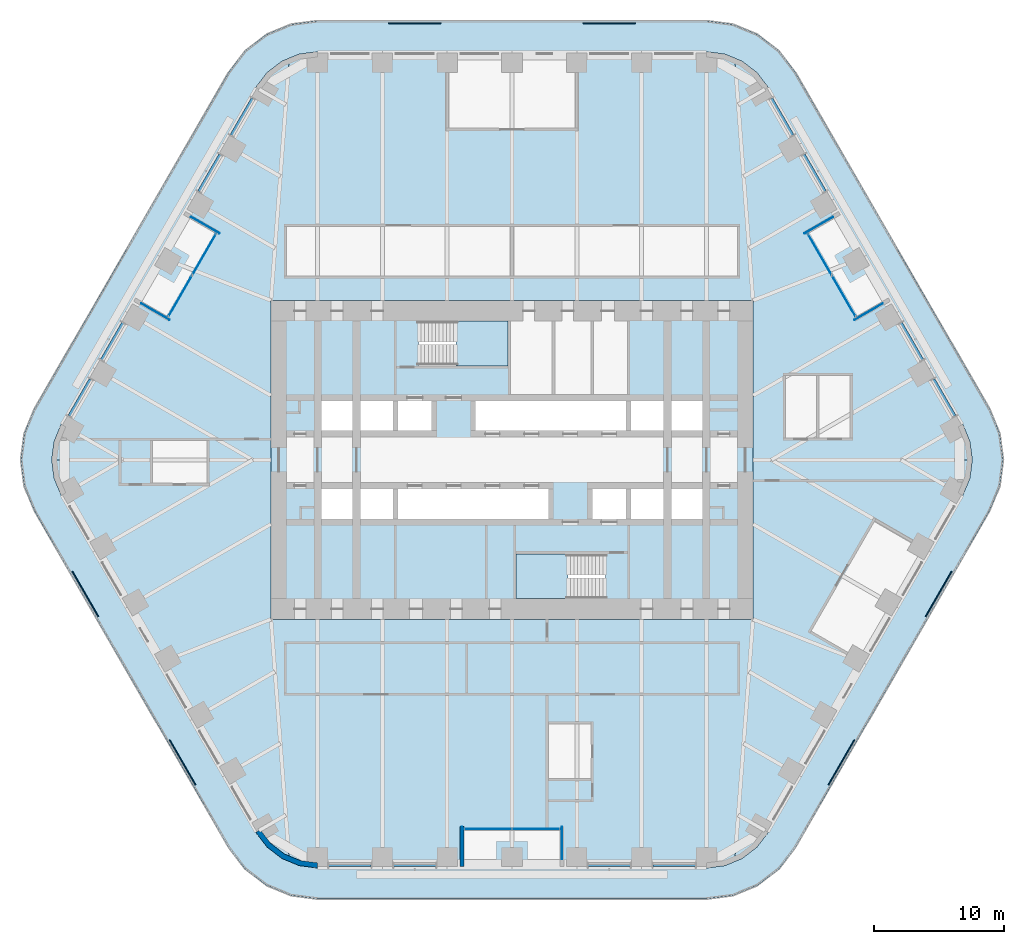
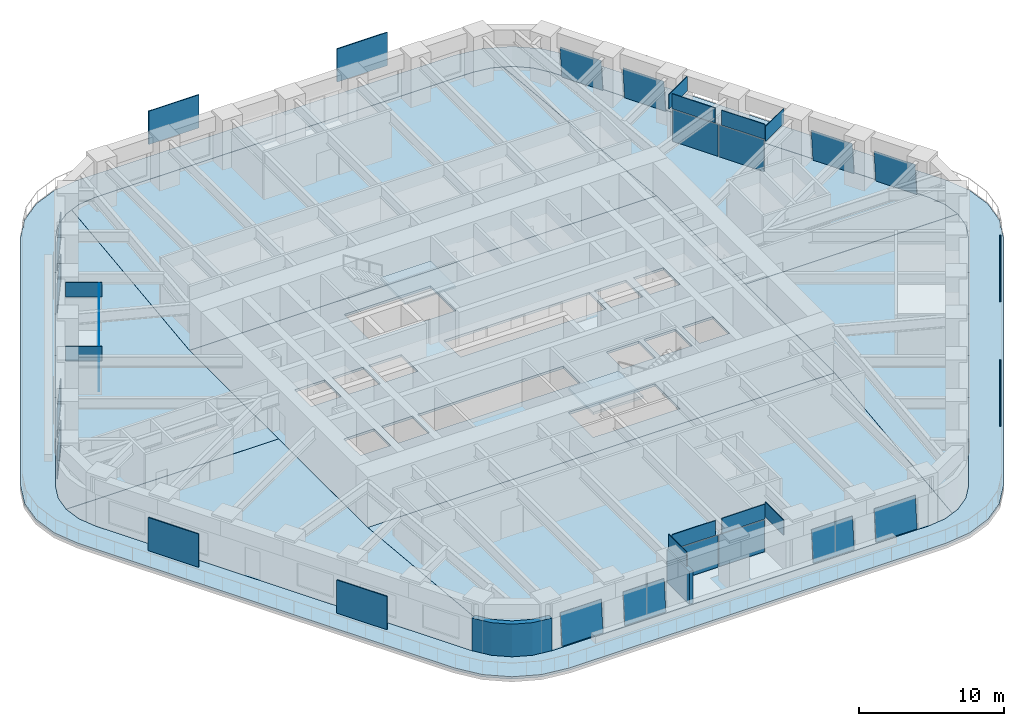
# One storey, part 16 of 24: 36 plates, 10 slabs, 2 walls, 17 elements without a shape of their own.
"""IFC4 building model written with IfcOpenShell, lengths in metres."""

from ifc_helpers import new_model, si_unit, direction, frame, frame_2d, origin, origin_2d, place, context, subcontext, project, spatial, polyline, rectangle, outline, extrude, material, layer, layer_set, type_object, element, aggregate, save


model = new_model("IFC4")

# Units and contexts
model_context = context("Model", 3, precision=1e-05, world=origin(), true_north=direction((0.0, 1.0)))
body_context = subcontext(model_context, "Body", "Model", "MODEL_VIEW")
ifc_project = project(units=[si_unit("LENGTHUNIT", "METRE"), si_unit("AREAUNIT", "SQUARE_METRE"), si_unit("VOLUMEUNIT", "CUBIC_METRE"), si_unit("PLANEANGLEUNIT", "RADIAN"), si_unit("MASSUNIT", "GRAM", prefix="KILO")], contexts=[model_context])

# Site, building, storey
site_placement = place(None, origin())
site = spatial("IfcSite", under=ifc_project, at=site_placement, CompositionType="ELEMENT")
building_placement = place(site_placement, origin())
building = spatial("IfcBuilding", under=site, at=building_placement, Name="Tarfa Lantern Tower", CompositionType="ELEMENT")
storey_placement = place(building_placement, frame((0.0, 0.0, 153.10009765625)))
storey = spatial("IfcBuildingStorey", under=building, at=storey_placement, Name="L34", CompositionType="ELEMENT", Elevation=153.10009765625)

# Slab
ifc_material_1 = material(Name="Concrete C40/50", Category="concrete")
ifc_layer_1 = layer(ifc_material_1, 0.199951171875)
ifc_layer_set_1 = layer_set([ifc_layer_1], Name="BS2 BALCONY SLAB 200")
slab_type_1 = type_object("IfcSlabType", Name="BS2 BALCONY SLAB 200", PredefinedType="FLOOR", material=ifc_layer_set_1)
slab_1_placement = place(storey_placement, frame((0.0, 0.0, -0.2001953125)))
element("IfcSlab", 1, at=slab_1_placement, inside=storey, type_object=slab_type_1, Name="Balcony L34", PredefinedType="FLOOR", context=body_context, shape_type="SweptSolid", body=[
    extrude(outline(polyline([(36.86376953125, 3.949951171875), (21.852783203125, 29.949951171875), (20.59716796875, 31.586181640625), (18.961181640625, 32.841552734375), (17.0556640625, 33.630859375), (15.010986328125, 33.89990234375), (-15.010986328125, 33.89990234375), (-17.0556640625, 33.630859375), (-18.961181640625, 32.841552734375), (-20.59716796875, 31.586181640625), (-21.852783203125, 29.949951171875), (-36.86376953125, 3.949951171875), (-37.653076171875, 2.044677734375), (-37.922119140625, 0.0), (-37.653076171875, -2.044677734375), (-36.86376953125, -3.949951171875), (-21.852783203125, -29.949951171875), (-20.59716796875, -31.586181640625), (-18.961181640625, -32.841552734375), (-17.0556640625, -33.630859375), (-15.010986328125, -33.89990234375), (15.010986328125, -33.89990234375), (17.0556640625, -33.630859375), (18.961181640625, -32.841552734375), (20.59716796875, -31.586181640625), (21.852783203125, -29.949951171875), (36.86376953125, -3.949951171875), (37.653076171875, -2.044677734375), (37.922119140625, 0.0), (37.653076171875, 2.044677734375), (36.86376953125, 3.949951171875)]), holes=[polyline([(34.785400390625, 2.75), (19.774169921875, 28.75), (18.900146484375, 29.88916015625), (17.760986328125, 30.76318359375), (16.4345703125, 31.3125), (15.010986328125, 31.5), (-15.010986328125, 31.5), (-16.4345703125, 31.3125), (-17.760986328125, 30.76318359375), (-18.900146484375, 29.88916015625), (-19.774169921875, 28.75), (-34.785400390625, 2.75), (-35.334716796875, 1.423583984375), (-35.522216796875, 0.0), (-35.334716796875, -1.423583984375), (-34.785400390625, -2.75), (-19.774169921875, -28.75), (-18.900146484375, -29.88916015625), (-17.760986328125, -30.76318359375), (-16.4345703125, -31.3125), (-15.010986328125, -31.5), (15.010986328125, -31.5), (16.4345703125, -31.3125), (17.760986328125, -30.76318359375), (18.900146484375, -29.88916015625), (19.774169921875, -28.75), (34.785400390625, -2.75), (35.334716796875, -1.423583984375), (35.522216796875, 0.0), (35.334716796875, 1.423583984375), (34.785400390625, 2.75)])]), origin(), (0.0, 0.0, 1.0), 0.2001953125),
])

# Curtain wall, plate
ifc_material_2 = material(Name="Aluminium framed curtain wall", Category="aluminium")
curtain_wall_type_1 = type_object("IfcCurtainWallType", Name="CW2 CANTED GLAZING MID ZONE 2750", PredefinedType="USERDEFINED", material=ifc_material_2)
curtain_wall_1_placement = place(storey_placement, origin())
curtain_wall_1 = element("IfcCurtainWall", 2, at=curtain_wall_1_placement, inside=storey, type_object=curtain_wall_type_1, Name="CW2 NE L34", ObjectType="CURTAIN WALL", PredefinedType="USERDEFINED")
ifc_material_3 = material(Name="Laminated double glazing", Category="glass")
ifc_layer_2 = layer(ifc_material_3, 0.028076171875)
ifc_layer_set_2 = layer_set([ifc_layer_2], Name="CWP1 DOUBLE GLAZED PANEL")
plate_type_1 = type_object("IfcPlateType", Name="CWP1 DOUBLE GLAZED PANEL", PredefinedType="CURTAIN_PANEL", material=ifc_layer_set_2)
plate_1_placement = place(storey_placement, frame((34.266357421875, 3.44921875, 0.0), z_axis=(0.862441034513, 0.497990624906, 0.09055826574), x_axis=(-0.500045231271, 0.865999287923, 0.0)))
plate_1 = element("IfcPlate", 3, at=plate_1_placement, type_object=plate_type_1, Name="CW2 panel 1.1", PredefinedType="CURTAIN_PANEL", context=body_context, shape_type="SweptSolid", body=[
    extrude(outline(polyline([(0.0, 0.0), (3.2736296403891254, -2.7755575615628914e-17), (3.273639290369484, 2.6958914425078007), (9.649980358572563e-06, 2.6958914425078007), (0.0, 0.0)])), origin(), (0.0, 0.0, -1.0), 0.028076171875),
])
aggregate(curtain_wall_1, [plate_1])

curtain_wall_2_placement = place(storey_placement, origin())
curtain_wall_2 = element("IfcCurtainWall", 4, at=curtain_wall_2_placement, inside=storey, type_object=curtain_wall_type_1, Name="CW2 NE L34", ObjectType="CURTAIN WALL", PredefinedType="USERDEFINED")
plate_2_placement = place(storey_placement, frame((31.764404296875, 7.782470703125, 0.0), z_axis=(0.862478745448, 0.497932381715, 0.090519373015), x_axis=(-0.499985201769, 0.866033947374, 2.911001e-06)))
plate_2 = element("IfcPlate", 5, at=plate_2_placement, type_object=plate_type_1, Name="CW2 panel 1.1", PredefinedType="CURTAIN_PANEL", context=body_context, shape_type="SweptSolid", body=[
    extrude(outline(polyline([(0.0, 0.0), (3.2738410665798394, 0.0), (3.2737195426844323, 2.695872301943701), (5.428042432404256e-07, 2.6958914404692003), (0.0, 0.0)])), origin(), (0.0, 0.0, -1.0), 0.028076171875),
])
aggregate(curtain_wall_2, [plate_2])

curtain_wall_3_placement = place(storey_placement, origin())
curtain_wall_3 = element("IfcCurtainWall", 6, at=curtain_wall_3_placement, inside=storey, type_object=curtain_wall_type_1, Name="CW2 NEB L34", ObjectType="CURTAIN WALL", PredefinedType="USERDEFINED")
plate_3_placement = place(storey_placement, frame((24.2587890625, 20.782470703125, 0.0), z_axis=(0.86249176236, 0.497902761979, 0.090558265635), x_axis=(-0.499957005835, 0.866050225054, 0.0)))
plate_3 = element("IfcPlate", 7, at=plate_3_placement, type_object=plate_type_1, Name="CW2 panel 1.1", PredefinedType="CURTAIN_PANEL", context=body_context, shape_type="SweptSolid", body=[
    extrude(outline(polyline([(0.0, 0.0), (3.273719001629088, 0.0), (3.2737037805661293, 2.6958914424821026), (-1.5221062958495346e-05, 2.6958914424821026), (0.0, 0.0)])), origin(), (0.0, 0.0, -1.0), 0.028076171875),
])
aggregate(curtain_wall_3, [plate_3])

curtain_wall_4_placement = place(storey_placement, origin())
curtain_wall_4 = element("IfcCurtainWall", 8, at=curtain_wall_4_placement, inside=storey, type_object=curtain_wall_type_1, Name="CW2 NEB L34", ObjectType="CURTAIN WALL", PredefinedType="USERDEFINED")
plate_4_placement = place(storey_placement, frame((21.757080078125, 25.11572265625, 0.0), z_axis=(0.862459603951, 0.497958464177, 0.09055826581), x_axis=(-0.500012937857, 0.86601793398, 0.0)))
plate_4 = element("IfcPlate", 9, at=plate_4_placement, type_object=plate_type_1, Name="CW2 panel 1.1", PredefinedType="CURTAIN_PANEL", context=body_context, shape_type="SweptSolid", body=[
    extrude(outline(polyline([(0.0, 0.0), (3.2738410682727324, 0.0), (3.27384161446276, 2.695891442525017), (5.461900275532949e-07, 2.695891442525017), (0.0, 0.0)])), origin(), (0.0, 0.0, -1.0), 0.028076171875),
])
aggregate(curtain_wall_4, [plate_4])

# Curtain wall, plates
curtain_wall_type_2 = type_object("IfcCurtainWallType", Name="CW10 LOGGIA GLAZING 2750", PredefinedType="USERDEFINED", material=ifc_material_2)
curtain_wall_5_placement = place(storey_placement, origin())
curtain_wall_5 = element("IfcCurtainWall", 10, at=curtain_wall_5_placement, inside=storey, type_object=curtain_wall_type_2, Name="CW10 NEL L34", ObjectType="CURTAIN WALL", PredefinedType="USERDEFINED")
plate_5_placement = place(storey_placement, frame((25.599609375, 12.660400390625, -0.000244140625), z_axis=(0.0, 0.0, 1.0), x_axis=(-0.5, 0.866025403784, 0.0)))
plate_5 = element("IfcPlate", 11, at=plate_5_placement, type_object=plate_type_1, Name="CW10 panel 1.1", PredefinedType="CURTAIN_PANEL", context=body_context, shape_type="SweptSolid", body=[
    extrude(rectangle(XDim=3.606201171875, YDim=0.028076171875, at=origin_2d()), origin(), (0.0, 0.0, 1.0), 2.68505859375),
])
plate_6_placement = place(storey_placement, frame((23.763916015625, 15.839599609375, -0.000244140625), z_axis=(0.0, 0.0, 1.0), x_axis=(-0.5, 0.866025403784, 0.0)))
plate_6 = element("IfcPlate", 12, at=plate_6_placement, type_object=plate_type_1, Name="CW10 panel 2.1", PredefinedType="CURTAIN_PANEL", context=body_context, shape_type="SweptSolid", body=[
    extrude(rectangle(XDim=3.606201171875, YDim=0.028076171875, at=origin_2d()), origin(), (0.0, 0.0, 1.0), 2.68505859375),
])
aggregate(curtain_wall_5, [plate_5, plate_6])

# Curtain wall, plate
curtain_wall_6_placement = place(storey_placement, origin())
curtain_wall_6 = element("IfcCurtainWall", 13, at=curtain_wall_6_placement, inside=storey, type_object=curtain_wall_type_1, Name="CW2 NW L34", ObjectType="CURTAIN WALL", PredefinedType="USERDEFINED")
plate_7_placement = place(storey_placement, frame((-20.1201171875, 27.950927734375, 0.0), z_axis=(-0.862459603951, 0.497958464177, 0.09055826581), x_axis=(-0.500012937857, -0.86601793398, 0.0)))
plate_7 = element("IfcPlate", 14, at=plate_7_placement, type_object=plate_type_1, Name="CW2 panel 1.1", PredefinedType="CURTAIN_PANEL", context=body_context, shape_type="SweptSolid", body=[
    extrude(outline(polyline([(0.0, 0.0), (3.2738410682727324, 0.0), (3.273840522082705, 2.695891442525017), (-5.461900275532949e-07, 2.695891442525017), (0.0, 0.0)])), origin(), (0.0, 0.0, -1.0), 0.028076171875),
])
aggregate(curtain_wall_6, [plate_7])

curtain_wall_7_placement = place(storey_placement, origin())
curtain_wall_7 = element("IfcCurtainWall", 15, at=curtain_wall_7_placement, inside=storey, type_object=curtain_wall_type_1, Name="CW2 NW L34", ObjectType="CURTAIN WALL", PredefinedType="USERDEFINED")
plate_8_placement = place(storey_placement, frame((-22.6220703125, 23.61767578125, 0.0), z_axis=(-0.86249176236, 0.497902761979, 0.090558265635), x_axis=(-0.499957005835, -0.866050225054, 0.0)))
plate_8 = element("IfcPlate", 16, at=plate_8_placement, type_object=plate_type_1, Name="CW2 panel 1.1", PredefinedType="CURTAIN_PANEL", context=body_context, shape_type="SweptSolid", body=[
    extrude(outline(polyline([(0.0, 0.0), (3.273719001629088, 0.0), (3.2737342226920463, 2.6958914424821026), (1.5221062958495346e-05, 2.6958914424821026), (0.0, 0.0)])), origin(), (0.0, 0.0, -1.0), 0.028076171875),
])
aggregate(curtain_wall_7, [plate_8])

curtain_wall_8_placement = place(storey_placement, origin())
curtain_wall_8 = element("IfcCurtainWall", 17, at=curtain_wall_8_placement, inside=storey, type_object=curtain_wall_type_1, Name="CW2 NWB L34", ObjectType="CURTAIN WALL", PredefinedType="USERDEFINED")
plate_9_placement = place(storey_placement, frame((-30.12744140625, 10.61767578125, 0.0), z_axis=(-0.862478745448, 0.497932381715, 0.090519373015), x_axis=(-0.499985201769, -0.866033947374, -2.911001e-06)))
plate_9 = element("IfcPlate", 18, at=plate_9_placement, type_object=plate_type_1, Name="CW2 panel 1.1", PredefinedType="CURTAIN_PANEL", context=body_context, shape_type="SweptSolid", body=[
    extrude(outline(polyline([(0.0, 0.0), (3.2738410665798394, 0.0), (3.273840523775597, 2.6958914404692003), (0.00012152389540728165, 2.695872301943701), (0.0, 0.0)])), origin(), (0.0, 0.0, -1.0), 0.028076171875),
])
aggregate(curtain_wall_8, [plate_9])

curtain_wall_9_placement = place(storey_placement, origin())
curtain_wall_9 = element("IfcCurtainWall", 19, at=curtain_wall_9_placement, inside=storey, type_object=curtain_wall_type_1, Name="CW2 NWB L34", ObjectType="CURTAIN WALL", PredefinedType="USERDEFINED")
plate_10_placement = place(storey_placement, frame((-32.62939453125, 6.2841796875, 0.0), z_axis=(-0.862441034513, 0.497990624906, 0.09055826574), x_axis=(-0.500045231271, -0.865999287923, 0.0)))
plate_10 = element("IfcPlate", 20, at=plate_10_placement, type_object=plate_type_1, Name="CW2 panel 1.1", PredefinedType="CURTAIN_PANEL", context=body_context, shape_type="SweptSolid", body=[
    extrude(outline(polyline([(0.0, 0.0), (3.2736296403891254, 2.7755575615628914e-17), (3.273619990408767, 2.6958914425078007), (-9.649980358572563e-06, 2.6958914425078007), (0.0, 0.0)])), origin(), (0.0, 0.0, -1.0), 0.028076171875),
])
aggregate(curtain_wall_9, [plate_10])

# Curtain wall, plates
curtain_wall_10_placement = place(storey_placement, origin())
curtain_wall_10 = element("IfcCurtainWall", 21, at=curtain_wall_10_placement, inside=storey, type_object=curtain_wall_type_2, Name="CW10 NWL L34", ObjectType="CURTAIN WALL", PredefinedType="USERDEFINED")
plate_11_placement = place(storey_placement, frame((-23.763916015625, 15.839599609375, -0.000244140625), z_axis=(0.0, 0.0, 1.0), x_axis=(-0.5, -0.866025403784, 0.0)))
plate_11 = element("IfcPlate", 22, at=plate_11_placement, type_object=plate_type_1, Name="CW10 panel 1.1", PredefinedType="CURTAIN_PANEL", context=body_context, shape_type="SweptSolid", body=[
    extrude(rectangle(XDim=3.606201171875, YDim=0.028076171875, at=origin_2d()), origin(), (0.0, 0.0, 1.0), 2.68505859375),
])
plate_12_placement = place(storey_placement, frame((-25.599609375, 12.660400390625, -0.000244140625), z_axis=(0.0, 0.0, 1.0), x_axis=(-0.5, -0.866025403784, 0.0)))
plate_12 = element("IfcPlate", 23, at=plate_12_placement, type_object=plate_type_1, Name="CW10 panel 2.1", PredefinedType="CURTAIN_PANEL", context=body_context, shape_type="SweptSolid", body=[
    extrude(rectangle(XDim=3.606201171875, YDim=0.028076171875, at=origin_2d()), origin(), (0.0, 0.0, 1.0), 2.68505859375),
])
aggregate(curtain_wall_10, [plate_11, plate_12])

# Curtain wall, plate
curtain_wall_11_placement = place(storey_placement, origin())
curtain_wall_11 = element("IfcCurtainWall", 24, at=curtain_wall_11_placement, inside=storey, type_object=curtain_wall_type_1, Name="CW2 S L34", ObjectType="CURTAIN WALL", PredefinedType="USERDEFINED")
plate_13_placement = place(storey_placement, frame((-14.14599609375, -31.39990234375, 0.0), z_axis=(0.0, -0.995899142751, 0.090470423171), x_axis=(1.0, 0.0, 0.0)))
plate_13 = element("IfcPlate", 25, at=plate_13_placement, type_object=plate_type_1, Name="CW2 panel 1.1", PredefinedType="CURTAIN_PANEL", context=body_context, shape_type="SweptSolid", body=[
    extrude(outline(polyline([(0.0, 0.0), (3.273681640625, 0.0), (3.273681640625, 2.695869830462773), (0.0, 2.695869830462773), (0.0, 0.0)])), origin(), (0.0, 0.0, -1.0), 0.028076171875),
])
aggregate(curtain_wall_11, [plate_13])

curtain_wall_12_placement = place(storey_placement, origin())
curtain_wall_12 = element("IfcCurtainWall", 26, at=curtain_wall_12_placement, inside=storey, type_object=curtain_wall_type_1, Name="CW2 S L34", ObjectType="CURTAIN WALL", PredefinedType="USERDEFINED")
plate_14_placement = place(storey_placement, frame((-9.142333984375, -31.39990234375, 0.0), z_axis=(0.0, -0.995899142751, 0.090470423171), x_axis=(1.0, 0.0, 0.0)))
plate_14 = element("IfcPlate", 27, at=plate_14_placement, type_object=plate_type_1, Name="CW2 panel 1.1", PredefinedType="CURTAIN_PANEL", context=body_context, shape_type="SweptSolid", body=[
    extrude(outline(polyline([(0.0, 0.0), (3.273681640625, 0.0), (3.273681640625, 2.695869830462773), (0.0, 2.695869830462773), (0.0, 0.0)])), origin(), (0.0, 0.0, -1.0), 0.028076171875),
])
aggregate(curtain_wall_12, [plate_14])

curtain_wall_13_placement = place(storey_placement, origin())
curtain_wall_13 = element("IfcCurtainWall", 28, at=curtain_wall_13_placement, inside=storey, type_object=curtain_wall_type_1, Name="CW2 SB L34", ObjectType="CURTAIN WALL", PredefinedType="USERDEFINED")
plate_15_placement = place(storey_placement, frame((5.86865234375, -31.39990234375, 0.0), z_axis=(0.0, -0.995899142751, 0.090470423171), x_axis=(1.0, 0.0, 0.0)))
plate_15 = element("IfcPlate", 29, at=plate_15_placement, type_object=plate_type_1, Name="CW2 panel 1.1", PredefinedType="CURTAIN_PANEL", context=body_context, shape_type="SweptSolid", body=[
    extrude(outline(polyline([(0.0, 0.0), (3.273681640625, 0.0), (3.273681640625, 2.695869830462773), (0.0, 2.695869830462773), (0.0, 0.0)])), origin(), (0.0, 0.0, -1.0), 0.028076171875),
])
aggregate(curtain_wall_13, [plate_15])

curtain_wall_14_placement = place(storey_placement, origin())
curtain_wall_14 = element("IfcCurtainWall", 30, at=curtain_wall_14_placement, inside=storey, type_object=curtain_wall_type_1, Name="CW2 SB L34", ObjectType="CURTAIN WALL", PredefinedType="USERDEFINED")
plate_16_placement = place(storey_placement, frame((10.872314453125, -31.39990234375, 0.0), z_axis=(0.0, -0.995899142751, 0.090470423171), x_axis=(1.0, 0.0, 0.0)))
plate_16 = element("IfcPlate", 31, at=plate_16_placement, type_object=plate_type_1, Name="CW2 panel 1.1", PredefinedType="CURTAIN_PANEL", context=body_context, shape_type="SweptSolid", body=[
    extrude(outline(polyline([(0.0, 0.0), (3.273681640625, 0.0), (3.273681640625, 2.695869830462773), (0.0, 2.695869830462773), (0.0, 0.0)])), origin(), (0.0, 0.0, -1.0), 0.028076171875),
])
aggregate(curtain_wall_14, [plate_16])

# Curtain wall, plates
curtain_wall_15_placement = place(storey_placement, origin())
curtain_wall_15 = element("IfcCurtainWall", 32, at=curtain_wall_15_placement, inside=storey, type_object=curtain_wall_type_2, Name="CW10 SL L34", ObjectType="CURTAIN WALL", PredefinedType="USERDEFINED")
plate_17_placement = place(storey_placement, frame((-1.835693359375, -28.5, -0.000244140625), z_axis=(0.0, 0.0, 1.0), x_axis=(1.0, 0.0, 0.0)))
plate_17 = element("IfcPlate", 33, at=plate_17_placement, type_object=plate_type_1, Name="CW10 panel 1.1", PredefinedType="CURTAIN_PANEL", context=body_context, shape_type="SweptSolid", body=[
    extrude(rectangle(XDim=3.606201171875, YDim=0.028076171875, at=origin_2d()), origin(), (0.0, 0.0, 1.0), 2.68505859375),
])
plate_18_placement = place(storey_placement, frame((1.835693359375, -28.5, -0.000244140625), z_axis=(0.0, 0.0, 1.0), x_axis=(1.0, 0.0, 0.0)))
plate_18 = element("IfcPlate", 34, at=plate_18_placement, type_object=plate_type_1, Name="CW10 panel 2.1", PredefinedType="CURTAIN_PANEL", context=body_context, shape_type="SweptSolid", body=[
    extrude(rectangle(XDim=3.606201171875, YDim=0.028076171875, at=origin_2d()), origin(), (0.0, 0.0, 1.0), 2.68505859375),
])
aggregate(curtain_wall_15, [plate_17, plate_18])

# Slabs
ifc_layer_3 = layer(ifc_material_1, 0.199951171875)
ifc_layer_set_3 = layer_set([ifc_layer_3], Name="FS1 FLOOR SLAB 200")
slab_type_2 = type_object("IfcSlabType", Name="FS1 FLOOR SLAB 200", PredefinedType="FLOOR", material=ifc_layer_set_3)
slab_2_placement = place(storey_placement, frame((0.0, 0.0, -0.2001953125)))
element("IfcSlab", 35, at=slab_2_placement, inside=storey, type_object=slab_type_2, Name="Floor slab L34", PredefinedType="FLOOR", context=body_context, shape_type="SweptSolid", body=[
    extrude(outline(polyline([(-18.60009765625, -12.300048828125), (18.60009765625, -12.300048828125), (18.60009765625, 12.300048828125), (-18.60009765625, 12.300048828125), (-18.60009765625, -12.300048828125)]), holes=[polyline([(-14.699951171875, 2.25), (-12.300048828125, 2.25), (-12.300048828125, 4.550048828125), (-14.699951171875, 4.550048828125), (-14.699951171875, 2.25)]), polyline([(-11.699951171875, 2.25), (-9.199951171875, 2.25), (-9.199951171875, 4.550048828125), (-11.699951171875, 4.550048828125), (-11.699951171875, 2.25)]), polyline([(-8.800048828125, 2.25), (-6.199951171875, 2.25), (-6.199951171875, 4.550048828125), (-8.800048828125, 4.550048828125), (-8.800048828125, 2.25)]), polyline([(-2.800048828125, 2.25), (8.800048828125, 2.25), (8.800048828125, 4.550048828125), (-2.800048828125, 4.550048828125), (-2.800048828125, 2.25)]), polyline([(9.199951171875, 2.25), (11.699951171875, 2.25), (11.699951171875, 4.550048828125), (9.199951171875, 4.550048828125), (9.199951171875, 2.25)]), polyline([(12.300048828125, 2.25), (14.699951171875, 2.25), (14.699951171875, 4.550048828125), (12.300048828125, 4.550048828125), (12.300048828125, 2.25)]), polyline([(14.699951171875, -2.25), (12.300048828125, -2.25), (12.300048828125, -4.550048828125), (14.699951171875, -4.550048828125), (14.699951171875, -2.25)]), polyline([(11.699951171875, -2.25), (9.199951171875, -2.25), (9.199951171875, -4.550048828125), (11.699951171875, -4.550048828125), (11.699951171875, -2.25)]), polyline([(8.800048828125, -2.25), (6.199951171875, -2.25), (6.199951171875, -4.550048828125), (8.800048828125, -4.550048828125), (8.800048828125, -2.25)]), polyline([(2.800048828125, -2.25), (-8.800048828125, -2.25), (-8.800048828125, -4.550048828125), (2.800048828125, -4.550048828125), (2.800048828125, -2.25)]), polyline([(-9.199951171875, -2.25), (-11.699951171875, -2.25), (-11.699951171875, -4.550048828125), (-9.199951171875, -4.550048828125), (-9.199951171875, -2.25)]), polyline([(-12.300048828125, -2.25), (-14.699951171875, -2.25), (-14.699951171875, -4.550048828125), (-12.300048828125, -4.550048828125), (-12.300048828125, -2.25)]), polyline([(-7.199951171875, 7.25), (-0.300048828125, 7.25), (-0.300048828125, 10.699951171875), (-7.199951171875, 10.699951171875), (-7.199951171875, 7.25)]), polyline([(7.199951171875, -7.25), (0.300048828125, -7.25), (0.300048828125, -10.699951171875), (7.199951171875, -10.699951171875), (7.199951171875, -7.25)])]), origin(), (0.0, 0.0, 1.0), 0.2001953125),
])
slab_3_placement = place(storey_placement, frame((0.0, 0.0, -0.2001953125)))
element("IfcSlab", 36, at=slab_3_placement, inside=storey, type_object=slab_type_2, Name="Floor slab L34 NE bay", PredefinedType="FLOOR", context=body_context, shape_type="SweptSolid", body=[
    extrude(outline(polyline([(34.783447265625, 2.7490234375), (19.7724609375, 28.748779296875), (18.898681640625, 29.8876953125), (17.760009765625, 30.761474609375), (17.19189453125, 30.996826171875), (18.60205078125, 12.300048828125), (18.60205078125, 0.001953125), (35.52001953125, 0.001953125), (35.332763671875, 1.423095703125), (34.783447265625, 2.7490234375)])), origin(), (0.0, 0.0, 1.0), 0.2001953125),
])
slab_4_placement = place(storey_placement, frame((0.0, 0.0, -0.2001953125)))
element("IfcSlab", 37, at=slab_4_placement, inside=storey, type_object=slab_type_2, Name="Floor slab L34 N bay", PredefinedType="FLOOR", context=body_context, shape_type="SweptSolid", body=[
    extrude(outline(polyline([(-18.597900390625, 12.302001953125), (18.597900390625, 12.302001953125), (17.187744140625, 30.99853515625), (16.43408203125, 31.310546875), (15.010986328125, 31.498046875), (-15.010986328125, 31.498046875), (-16.43408203125, 31.310546875), (-17.187744140625, 30.99853515625), (-18.597900390625, 12.302001953125)])), origin(), (0.0, 0.0, 1.0), 0.2001953125),
])
slab_5_placement = place(storey_placement, frame((0.0, 0.0, -0.2001953125)))
element("IfcSlab", 38, at=slab_5_placement, inside=storey, type_object=slab_type_2, Name="Floor slab L34 NW bay", PredefinedType="FLOOR", context=body_context, shape_type="SweptSolid", body=[
    extrude(outline(polyline([(-18.60205078125, 0.001953125), (-18.60205078125, 12.300048828125), (-17.19189453125, 30.996826171875), (-17.760009765625, 30.761474609375), (-18.898681640625, 29.8876953125), (-19.7724609375, 28.748779296875), (-34.783447265625, 2.7490234375), (-35.332763671875, 1.423095703125), (-35.52001953125, 0.001953125), (-18.60205078125, 0.001953125)])), origin(), (0.0, 0.0, 1.0), 0.2001953125),
])
slab_6_placement = place(storey_placement, frame((0.0, 0.0, -0.2001953125)))
element("IfcSlab", 39, at=slab_6_placement, inside=storey, type_object=slab_type_2, Name="Floor slab L34 SW bay", PredefinedType="FLOOR", context=body_context, shape_type="SweptSolid", body=[
    extrude(outline(polyline([(-18.60205078125, -12.300048828125), (-18.60205078125, -0.001953125), (-35.52001953125, -0.001953125), (-35.332763671875, -1.423095703125), (-34.783447265625, -2.7490234375), (-19.7724609375, -28.748779296875), (-18.898681640625, -29.8876953125), (-17.760009765625, -30.761474609375), (-17.19189453125, -30.996826171875), (-18.60205078125, -12.300048828125)])), origin(), (0.0, 0.0, 1.0), 0.2001953125),
])
slab_7_placement = place(storey_placement, frame((0.0, 0.0, -0.2001953125)))
element("IfcSlab", 40, at=slab_7_placement, inside=storey, type_object=slab_type_2, Name="Floor slab L34 S bay", PredefinedType="FLOOR", context=body_context, shape_type="SweptSolid", body=[
    extrude(outline(polyline([(18.597900390625, -12.302001953125), (-18.597900390625, -12.302001953125), (-17.187744140625, -30.99853515625), (-16.43408203125, -31.310546875), (-15.010986328125, -31.498046875), (15.010986328125, -31.498046875), (16.43408203125, -31.310546875), (17.187744140625, -30.99853515625), (18.597900390625, -12.302001953125)])), origin(), (0.0, 0.0, 1.0), 0.2001953125),
])
slab_8_placement = place(storey_placement, frame((0.0, 0.0, -0.2001953125)))
element("IfcSlab", 41, at=slab_8_placement, inside=storey, type_object=slab_type_2, Name="Floor slab L34 SE bay", PredefinedType="FLOOR", context=body_context, shape_type="SweptSolid", body=[
    extrude(outline(polyline([(18.60205078125, -0.001953125), (18.60205078125, -12.300048828125), (17.19189453125, -30.996826171875), (17.760009765625, -30.761474609375), (18.898681640625, -29.8876953125), (19.7724609375, -28.748779296875), (34.783447265625, -2.7490234375), (35.332763671875, -1.423095703125), (35.52001953125, -0.001953125), (18.60205078125, -0.001953125)])), origin(), (0.0, 0.0, 1.0), 0.2001953125),
])

# Plates
ifc_material_4 = material(Name="Aluminium fascia panel", Category="aluminium")
ifc_layer_4 = layer(ifc_material_4, 0.050048828125)
ifc_layer_set_4 = layer_set([ifc_layer_4], Name="LF1 LOGGIA HEAD FASCIA 50")
plate_type_2 = type_object("IfcPlateType", Name="LF1 LOGGIA HEAD FASCIA 50", PredefinedType="USERDEFINED", material=ifc_layer_set_4)
for number, where, z_axis, x_axis, name in (
    (42, (25.670166015625, 12.5380859375, 2.75), (0.0, 0.0, 1.0), (-0.5, 0.866025403784, 0.0), "Loggia head fascia NE"),
    (43, (23.693359375, 15.9619140625, 2.75), (0.0, 0.0, 1.0), (-0.5, 0.866025403784, 0.0), "Loggia head fascia NE"),
):
    element("IfcPlate", number, at=place(storey_placement, frame(where, z_axis=z_axis, x_axis=x_axis)), inside=storey, type_object=plate_type_2, Name=name, ObjectType="FASCIA", PredefinedType="USERDEFINED", context=body_context, shape_type="SweptSolid", body=[
        extrude(rectangle(XDim=3.45361328125, YDim=0.050048828125, at=origin_2d()), origin(), (0.0, 0.0, 1.0), 1.25),
    ])
for number, where, z_axis, x_axis, name in (
    (44, (27.526611328125, 11.442626953125, 2.75), (0.0, 0.0, 1.0), (-0.866025403784, -0.5, 0.0), "Loggia head fascia NE"),
    (45, (23.6728515625, 18.117431640625, 2.75), (0.0, 0.0, 1.0), (-0.866025403784, -0.5, 0.0), "Loggia head fascia NE"),
):
    element("IfcPlate", number, at=place(storey_placement, frame(where, z_axis=z_axis, x_axis=x_axis)), inside=storey, type_object=plate_type_2, Name=name, ObjectType="FASCIA", PredefinedType="USERDEFINED", context=body_context, shape_type="SweptSolid", body=[
        extrude(rectangle(XDim=2.52001953125, YDim=0.050048828125, at=origin_2d()), origin(), (0.0, 0.0, 1.0), 1.25),
    ])
for number, where, z_axis, x_axis, name in (
    (46, (-23.693359375, 15.9619140625, 2.75), (0.0, 0.0, 1.0), (-0.5, -0.866025403784, 0.0), "Loggia head fascia NW"),
    (47, (-25.670166015625, 12.5380859375, 2.75), (0.0, 0.0, 1.0), (-0.5, -0.866025403784, 0.0), "Loggia head fascia NW"),
):
    element("IfcPlate", number, at=place(storey_placement, frame(where, z_axis=z_axis, x_axis=x_axis)), inside=storey, type_object=plate_type_2, Name=name, ObjectType="FASCIA", PredefinedType="USERDEFINED", context=body_context, shape_type="SweptSolid", body=[
        extrude(rectangle(XDim=3.45361328125, YDim=0.050048828125, at=origin_2d()), origin(), (0.0, 0.0, 1.0), 1.25),
    ])
for number, where, z_axis, x_axis, name in (
    (48, (-23.6728515625, 18.117431640625, 2.75), (0.0, 0.0, 1.0), (0.866025403784, -0.5, 0.0), "Loggia head fascia NW"),
    (49, (-27.526611328125, 11.442626953125, 2.75), (0.0, 0.0, 1.0), (0.866025403784, -0.5, 0.0), "Loggia head fascia NW"),
):
    element("IfcPlate", number, at=place(storey_placement, frame(where, z_axis=z_axis, x_axis=x_axis)), inside=storey, type_object=plate_type_2, Name=name, ObjectType="FASCIA", PredefinedType="USERDEFINED", context=body_context, shape_type="SweptSolid", body=[
        extrude(rectangle(XDim=2.52001953125, YDim=0.050048828125, at=origin_2d()), origin(), (0.0, 0.0, 1.0), 1.25),
    ])
for number, where, z_axis, x_axis, name in (
    (50, (-1.976806640625, -28.5, 2.75), (0.0, 0.0, 1.0), (1.0, 0.0, 0.0), "Loggia head fascia S"),
    (51, (1.976806640625, -28.5, 2.75), (0.0, 0.0, 1.0), (1.0, 0.0, 0.0), "Loggia head fascia S"),
):
    element("IfcPlate", number, at=place(storey_placement, frame(where, z_axis=z_axis, x_axis=x_axis)), inside=storey, type_object=plate_type_2, Name=name, ObjectType="FASCIA", PredefinedType="USERDEFINED", context=body_context, shape_type="SweptSolid", body=[
        extrude(rectangle(XDim=3.45361328125, YDim=0.050048828125, at=origin_2d()), origin(), (0.0, 0.0, 1.0), 1.25),
    ])
for number, where, z_axis, x_axis, name in (
    (52, (-3.853759765625, -29.56005859375, 2.75), (0.0, 0.0, 1.0), (0.0, 1.0, 0.0), "Loggia head fascia S"),
    (53, (3.853759765625, -29.56005859375, 2.75), (0.0, 0.0, 1.0), (0.0, 1.0, 0.0), "Loggia head fascia S"),
):
    element("IfcPlate", number, at=place(storey_placement, frame(where, z_axis=z_axis, x_axis=x_axis)), inside=storey, type_object=plate_type_2, Name=name, ObjectType="FASCIA", PredefinedType="USERDEFINED", context=body_context, shape_type="SweptSolid", body=[
        extrude(rectangle(XDim=2.52001953125, YDim=0.050048828125, at=origin_2d()), origin(), (0.0, 0.0, 1.0), 1.25),
    ])
ifc_material_5 = material(Name="Perforated limestone screen", Category="masonry")
ifc_layer_5 = layer(ifc_material_5, 0.080078125)
ifc_layer_set_5 = layer_set([ifc_layer_5], Name="SC1 STONE SCREEN 80")
plate_type_3 = type_object("IfcPlateType", Name="SC1 STONE SCREEN 80", PredefinedType="USERDEFINED", material=ifc_layer_set_5)
for number, where, z_axis, x_axis, name in (
    (54, (7.505615234375, 33.699951171875, 1.19970703125), (0.0, 0.0, 1.0), (-1.0, 0.0, 0.0), "Stone screen N 1"),
    (55, (-7.505615234375, 33.699951171875, 1.19970703125), (0.0, 0.0, 1.0), (-1.0, 0.0, 0.0), "Stone screen N 2"),
    (56, (-32.937744140625, -10.35009765625, 1.19970703125), (0.0, 0.0, 1.0), (0.5, -0.866025403784, 0.0), "Stone screen SW 1"),
    (57, (-25.432373046875, -23.35009765625, 1.19970703125), (0.0, 0.0, 1.0), (0.5, -0.866025403784, 0.0), "Stone screen SW 2"),
    (58, (25.432373046875, -23.35009765625, 1.19970703125), (0.0, 0.0, 1.0), (0.5, 0.866025403784, 0.0), "Stone screen SE 1"),
    (59, (32.937744140625, -10.35009765625, 1.19970703125), (0.0, 0.0, 1.0), (0.5, 0.866025403784, 0.0), "Stone screen SE 2"),
):
    element("IfcPlate", number, at=place(storey_placement, frame(where, z_axis=z_axis, x_axis=x_axis)), inside=storey, type_object=plate_type_3, Name=name, ObjectType="SCREEN", PredefinedType="USERDEFINED", context=body_context, shape_type="SweptSolid", body=[
        extrude(rectangle(XDim=4.0, YDim=0.080078125, at=origin_2d()), origin(), (0.0, 0.0, 1.0), 2.800048828125),
    ])

# Stair, slab
stair_type = type_object("IfcStairType", Name="ST-T10 HALF-TURN STAIR 4200 RISE", PredefinedType="HALF_TURN_STAIR", material=ifc_material_1)
stair_1_placement = place(storey_placement, origin())
stair_1 = element("IfcStair", 60, at=stair_1_placement, inside=storey, type_object=stair_type, Name="Stair ST1", PredefinedType="HALF_TURN_STAIR")
ifc_layer_6 = layer(ifc_material_1, 0.199951171875)
ifc_layer_set_6 = layer_set([ifc_layer_6], Name="SL1 STAIR LANDING 200")
slab_type_3 = type_object("IfcSlabType", Name="SL1 STAIR LANDING 200", PredefinedType="LANDING", material=ifc_layer_set_6)
slab_9_placement = place(storey_placement, frame((0.0, 0.0, 1.89990234375)))
slab_9 = element("IfcSlab", 61, at=slab_9_placement, type_object=slab_type_3, Name="ST1 landing 1", PredefinedType="LANDING", context=body_context, shape_type="SweptSolid", body=[
    extrude(outline(polyline([(-4.320068359375, 7.25), (-0.300048828125, 7.25), (-0.300048828125, 10.699951171875), (-4.320068359375, 10.699951171875), (-4.320068359375, 7.25)])), origin(), (0.0, 0.0, 1.0), 0.199951171875),
])
aggregate(stair_1, [slab_9])

stair_2_placement = place(storey_placement, origin())
stair_2 = element("IfcStair", 62, at=stair_2_placement, inside=storey, type_object=stair_type, Name="Stair ST2", PredefinedType="HALF_TURN_STAIR")
slab_10_placement = place(storey_placement, frame((0.0, 0.0, 1.89990234375)))
slab_10 = element("IfcSlab", 63, at=slab_10_placement, type_object=slab_type_3, Name="ST2 landing 1", PredefinedType="LANDING", context=body_context, shape_type="SweptSolid", body=[
    extrude(outline(polyline([(4.320068359375, -7.25), (0.300048828125, -7.25), (0.300048828125, -10.699951171875), (4.320068359375, -10.699951171875), (4.320068359375, -7.25)])), origin(), (0.0, 0.0, 1.0), 0.199951171875),
])
aggregate(stair_2, [slab_10])

# Walls
ifc_material_6 = material(Name="Limestone cladding on blockwork", Category="masonry")
ifc_layer_7 = layer(ifc_material_6, 0.300048828125)
ifc_layer_set_7 = layer_set([ifc_layer_7], Name="EW1 STONE-CLAD WALL 300")
wall_type_1 = type_object("IfcWallType", Name="EW1 STONE-CLAD WALL 300", PredefinedType="SOLIDWALL", material=ifc_layer_set_7)
wall_1_placement = place(storey_placement, frame((-3.853759765625, -31.39990234375, 0.0), z_axis=(0.0, 0.0, 1.0), x_axis=(0.0, 1.0, 0.0)))
element("IfcWall", 64, at=wall_1_placement, inside=storey, type_object=wall_type_1, Name="Loggia return S 1", PredefinedType="SOLIDWALL", context=body_context, shape_type="SweptSolid", body=[
    extrude(rectangle(XDim=3.099853515625, YDim=0.300048828125, at=frame_2d((1.5498046875, 0.0))), origin(), (0.0, 0.0, 1.0), 2.75),
])
ifc_layer_8 = layer(ifc_material_6, 0.39990234375)
ifc_layer_set_8 = layer_set([ifc_layer_8], Name="EW2 CURVED STONE CORNER 400")
wall_type_2 = type_object("IfcWallType", Name="EW2 CURVED STONE CORNER 400", PredefinedType="SOLIDWALL", material=ifc_layer_set_8)
wall_2_placement = place(storey_placement, origin())
element("IfcWall", 65, at=wall_2_placement, inside=storey, type_object=wall_type_2, Name="Stone corner SW-S", PredefinedType="SOLIDWALL", context=body_context, shape_type="SweptSolid", body=[
    extrude(outline(polyline([(-19.774169921875, -28.75), (-18.900146484375, -29.88916015625), (-17.760986328125, -30.76318359375), (-16.4345703125, -31.3125), (-15.010986328125, -31.5), (-15.010986328125, -31.10009765625), (-16.3310546875, -30.92626953125), (-17.56103515625, -30.416748046875), (-18.617431640625, -29.606201171875), (-19.427734375, -28.550048828125), (-19.774169921875, -28.75)])), origin(), (0.0, 0.0, 1.0), 2.75),
])

save(model, "model.ifc")
